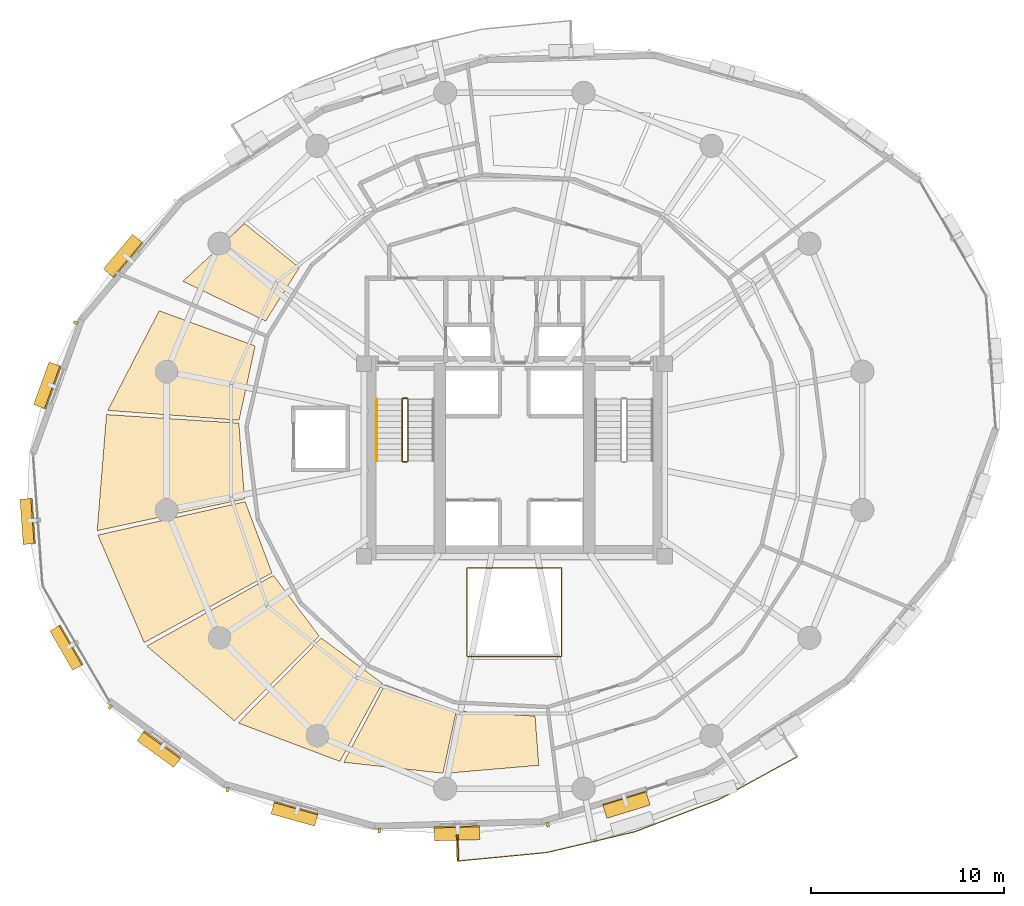
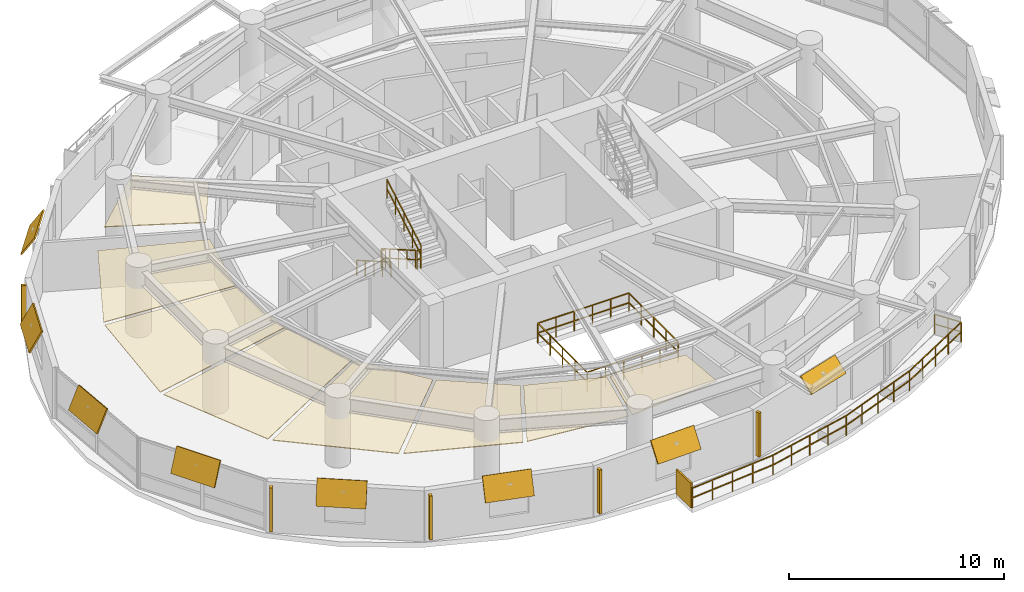
# One storey, part 13 of 15: 14 shading devices, 8 coverings, 7 railings.
"""IFC4 building model written with IfcOpenShell, lengths in metres."""

from ifc_helpers import new_model, si_unit, direction, frame, origin, origin_2d, place, context, subcontext, project, spatial, polyline, rectangle, outline, extrude, material, layer, layer_set, type_object, element, save


model = new_model("IFC4")

# Units and contexts
model_context = context("Model", 3, precision=1e-05, world=origin(), true_north=direction((0.0, 1.0)))
body_context = subcontext(model_context, "Body", "Model", "MODEL_VIEW")
ifc_project = project(units=[si_unit("LENGTHUNIT", "METRE"), si_unit("AREAUNIT", "SQUARE_METRE"), si_unit("VOLUMEUNIT", "CUBIC_METRE"), si_unit("PLANEANGLEUNIT", "RADIAN"), si_unit("MASSUNIT", "GRAM", prefix="KILO"), si_unit("THERMODYNAMICTEMPERATUREUNIT", "KELVIN"), si_unit("POWERUNIT", "WATT")], contexts=[model_context])

# Site, building, storey
site_placement = place(None, origin())
site = spatial("IfcSite", under=ifc_project, at=site_placement, CompositionType="ELEMENT")
building_placement = place(site_placement, origin())
building = spatial("IfcBuilding", under=site, at=building_placement, Name="Ocrelia Relay Tower", CompositionType="ELEMENT")
storey_placement = place(building_placement, frame((0.0, 0.0, 105.800048828125)))
storey = spatial("IfcBuildingStorey", under=building, at=storey_placement, Name="L24", CompositionType="ELEMENT", Elevation=105.800048828125)

# Coverings
ifc_material_1 = material(Name="Mineral-fiber acoustic ceiling tile", Category="gypsum")
ifc_layer_1 = layer(ifc_material_1, 0.0400390625, Name="Mineral-fiber acoustic ceiling tile")
ifc_layer_set_1 = layer_set([ifc_layer_1], Name="Mineral-fiber acoustic ceiling tile")
covering_type_1 = type_object("IfcCoveringType", Name="COV-CEIL-ACOUSTIC", PredefinedType="CEILING", material=ifc_layer_set_1)
covering_1_placement = place(storey_placement, frame((0.0, 0.0, 2.719970703125)))
element("IfcCovering", 1, at=covering_1_placement, inside=storey, type_object=covering_type_1, Name="L24 Network Engineering Office A Suspended Ceiling 4", PredefinedType="CEILING", context=body_context, shape_type="SweptSolid", body=[
    extrude(outline(polyline([(22.84765625, 34.982666015625), (20.007080078125, 37.2705078125), (16.809814453125, 34.273193359375), (21.0966796875, 32.2099609375), (22.84765625, 34.982666015625)])), origin(), (0.0, 0.0, 1.0), 0.0400390625),
])
ifc_material_2 = material(Name="Cleanroom metal-pan acoustic ceiling", Category="aluminium")
ifc_layer_2 = layer(ifc_material_2, 0.0400390625, Name="Cleanroom metal-pan acoustic ceiling")
ifc_layer_set_2 = layer_set([ifc_layer_2], Name="Cleanroom metal-pan acoustic ceiling")
covering_type_2 = type_object("IfcCoveringType", Name="COV-CEIL-CLEAN", PredefinedType="CEILING", material=ifc_layer_set_2)
covering_2_placement = place(storey_placement, frame((0.0, 0.0, 2.719970703125)))
element("IfcCovering", 2, at=covering_2_placement, inside=storey, type_object=covering_type_2, Name="L24 Optical Switching Hall A Suspended Ceiling 1", PredefinedType="CEILING", context=body_context, shape_type="SweptSolid", body=[
    extrude(outline(polyline([(20.55224609375, 30.921142578125), (15.575927734375, 32.7421875), (12.909912109375, 27.5751953125), (19.7197265625, 27.066650390625), (20.55224609375, 30.921142578125)])), origin(), (0.0, 0.0, 1.0), 0.0400390625),
])
covering_3_placement = place(storey_placement, frame((0.0, 0.0, 2.719970703125)))
element("IfcCovering", 3, at=covering_3_placement, inside=storey, type_object=covering_type_2, Name="L24 Optical Switching Hall A Suspended Ceiling 2", PredefinedType="CEILING", context=body_context, shape_type="SweptSolid", body=[
    extrude(outline(polyline([(19.70947265625, 26.9169921875), (12.8427734375, 27.357666015625), (12.359375, 21.338134765625), (20.001220703125, 22.984375), (19.70947265625, 26.9169921875)])), origin(), (0.0, 0.0, 1.0), 0.0400390625),
])
covering_4_placement = place(storey_placement, frame((0.0, 0.0, 2.719970703125)))
element("IfcCovering", 4, at=covering_4_placement, inside=storey, type_object=covering_type_2, Name="L24 Optical Switching Hall A Suspended Ceiling 3", PredefinedType="CEILING", context=body_context, shape_type="SweptSolid", body=[
    extrude(outline(polyline([(20.033447265625, 22.837890625), (12.3955078125, 21.108642578125), (14.7958984375, 15.535888671875), (21.425537109375, 19.148193359375), (20.033447265625, 22.837890625)])), origin(), (0.0, 0.0, 1.0), 0.0400390625),
])
covering_5_placement = place(storey_placement, frame((0.0, 0.0, 2.719970703125)))
element("IfcCovering", 5, at=covering_5_placement, inside=storey, type_object=covering_type_2, Name="L24 Optical Switching Hall A Suspended Ceiling 4", PredefinedType="CEILING", context=body_context, shape_type="SweptSolid", body=[
    extrude(outline(polyline([(21.498046875, 19.01708984375), (14.936279296875, 15.351806640625), (19.4794921875, 11.47216796875), (23.876708984375, 15.87158203125), (21.498046875, 19.01708984375)])), origin(), (0.0, 0.0, 1.0), 0.0400390625),
])
covering_6_placement = place(storey_placement, frame((0.0, 0.0, 2.719970703125)))
element("IfcCovering", 6, at=covering_6_placement, inside=storey, type_object=covering_type_2, Name="L24 Optical Switching Hall A Suspended Ceiling 5", PredefinedType="CEILING", context=body_context, shape_type="SweptSolid", body=[
    extrude(outline(polyline([(23.9833984375, 15.766357421875), (19.67333984375, 11.36279296875), (24.948974609375, 9.36962890625), (27.154541015625, 13.422119140625), (23.9833984375, 15.766357421875)])), origin(), (0.0, 0.0, 1.0), 0.0400390625),
])
covering_7_placement = place(storey_placement, frame((0.0, 0.0, 2.719970703125)))
element("IfcCovering", 7, at=covering_7_placement, inside=storey, type_object=covering_type_2, Name="L24 Optical Switching Hall A Suspended Ceiling 6", PredefinedType="CEILING", context=body_context, shape_type="SweptSolid", body=[
    extrude(outline(polyline([(27.28662109375, 13.351318359375), (25.1494140625, 9.324462890625), (30.294189453125, 8.756103515625), (30.9912109375, 11.99951171875), (27.28662109375, 13.351318359375)])), origin(), (0.0, 0.0, 1.0), 0.0400390625),
])
covering_8_placement = place(storey_placement, frame((0.0, 0.0, 2.719970703125)))
element("IfcCovering", 8, at=covering_8_placement, inside=storey, type_object=covering_type_2, Name="L24 Optical Switching Hall A Suspended Ceiling 7", PredefinedType="CEILING", context=body_context, shape_type="SweptSolid", body=[
    extrude(outline(polyline([(31.13818359375, 11.968994140625), (30.482421875, 8.755126953125), (35.265625, 9.166748046875), (35.07373046875, 11.72021484375), (31.13818359375, 11.968994140625)])), origin(), (0.0, 0.0, 1.0), 0.0400390625),
])

# Railings
ifc_material_3 = material(Name="Steel S355 balustrade", Category="steel")
railing_type_1 = type_object("IfcRailingType", Name="RL-EXT-GUARD-1150", PredefinedType="GUARDRAIL", material=ifc_material_3)
railing_1_placement = place(storey_placement, frame((47.921142578125, 10.785888671875, 0.0)))
element("IfcRailing", 9, at=railing_1_placement, inside=storey, type_object=railing_type_1, Name="L24 Loggia Balcony Guard Rail B2", PredefinedType="GUARDRAIL", context=body_context, shape_type="SweptSolid", body=[
    extrude(rectangle(XDim=0.048095703125, YDim=0.048095703125, at=origin_2d()), frame((0.0, 0.0, 1.1259765625), z_axis=(0.541040928806, -0.840996262392, 0.0), x_axis=(0.840996262392, 0.541040928806, 0.0)), (0.0, 0.0, 1.0), 1.3935546875),
    extrude(rectangle(XDim=0.048095703125, YDim=0.048095703125, at=origin_2d()), frame((0.0, 0.0, 0.574951171875), z_axis=(0.541040928806, -0.840996262392, 0.0), x_axis=(0.840996262392, 0.541040928806, 0.0)), (0.0, 0.0, 1.0), 1.3935546875),
    extrude(rectangle(XDim=0.048095703125, YDim=0.048095703125, at=origin_2d()), frame((0.75390625, -1.171875, 1.1259765625), z_axis=(-0.876967218868, -0.480550202404, 0.0), x_axis=(0.480550202404, -0.876967218868, 0.0)), (0.0, 0.0, 1.0), 2.315673828125),
    extrude(rectangle(XDim=0.048095703125, YDim=0.048095703125, at=origin_2d()), frame((0.75390625, -1.171875, 0.574951171875), z_axis=(-0.876967218868, -0.480550202404, 0.0), x_axis=(0.480550202404, -0.876967218868, 0.0)), (0.0, 0.0, 1.0), 2.315673828125),
    extrude(rectangle(XDim=0.048095703125, YDim=0.048095703125, at=origin_2d()), frame((-1.27685546875, -2.28466796875, 1.1259765625), z_axis=(-0.876991562296, -0.480505774846, 0.0), x_axis=(0.480505774846, -0.876991562296, 0.0)), (0.0, 0.0, 1.0), 2.31591796875),
    extrude(rectangle(XDim=0.048095703125, YDim=0.048095703125, at=origin_2d()), frame((-1.27685546875, -2.28466796875, 0.574951171875), z_axis=(-0.876991562296, -0.480505774846, 0.0), x_axis=(0.480505774846, -0.876991562296, 0.0)), (0.0, 0.0, 1.0), 2.31591796875),
    extrude(rectangle(XDim=0.048095703125, YDim=0.048095703125, at=origin_2d()), frame((-3.307861328125, -3.3974609375, 1.1259765625), z_axis=(-0.933953059863, -0.357395693836, 0.0), x_axis=(0.357395693836, -0.933953059863, 0.0)), (0.0, 0.0, 1.0), 4.68212890625),
    extrude(rectangle(XDim=0.048095703125, YDim=0.048095703125, at=origin_2d()), frame((-3.307861328125, -3.3974609375, 0.574951171875), z_axis=(-0.933953059863, -0.357395693836, 0.0), x_axis=(0.357395693836, -0.933953059863, 0.0)), (0.0, 0.0, 1.0), 4.68212890625),
    extrude(rectangle(XDim=0.048095703125, YDim=0.048095703125, at=origin_2d()), frame((-7.6806640625, -5.07080078125, 1.1259765625), z_axis=(-0.973338470259, -0.229373543187, 0.0), x_axis=(0.229373543187, -0.973338470259, 0.0)), (0.0, 0.0, 1.0), 4.68212890625),
    extrude(rectangle(XDim=0.048095703125, YDim=0.048095703125, at=origin_2d()), frame((-7.6806640625, -5.07080078125, 0.574951171875), z_axis=(-0.973338470259, -0.229373543187, 0.0), x_axis=(0.229373543187, -0.973338470259, 0.0)), (0.0, 0.0, 1.0), 4.68212890625),
    extrude(rectangle(XDim=0.048095703125, YDim=0.048095703125, at=origin_2d()), frame((-12.238037109375, -6.144775390625, 1.1259765625), z_axis=(-0.995427939099, -0.095515538321, 0.0), x_axis=(0.095515538321, -0.995427939099, 0.0)), (0.0, 0.0, 1.0), 2.315673828125),
    extrude(rectangle(XDim=0.048095703125, YDim=0.048095703125, at=origin_2d()), frame((-12.238037109375, -6.144775390625, 0.574951171875), z_axis=(-0.995427939099, -0.095515538321, 0.0), x_axis=(0.095515538321, -0.995427939099, 0.0)), (0.0, 0.0, 1.0), 2.315673828125),
    extrude(rectangle(XDim=0.048095703125, YDim=0.048095703125, at=origin_2d()), frame((-14.543212890625, -6.365966796875, 1.1259765625), z_axis=(-0.995437957456, -0.095411073025, 0.0), x_axis=(0.095411073025, -0.995437957456, 0.0)), (0.0, 0.0, 1.0), 2.315673828125),
    extrude(rectangle(XDim=0.048095703125, YDim=0.048095703125, at=origin_2d()), frame((-14.543212890625, -6.365966796875, 0.574951171875), z_axis=(-0.995437957456, -0.095411073025, 0.0), x_axis=(0.095411073025, -0.995437957456, 0.0)), (0.0, 0.0, 1.0), 2.315673828125),
    extrude(rectangle(XDim=0.048095703125, YDim=0.048095703125, at=origin_2d()), frame((-16.848388671875, -6.5869140625, 1.1259765625), z_axis=(-0.025232979854, 0.999681597674, 0.0), x_axis=(-0.999681597674, -0.025232979854, 0.0)), (0.0, 0.0, 1.0), 1.393310546875),
    extrude(rectangle(XDim=0.048095703125, YDim=0.048095703125, at=origin_2d()), frame((-16.848388671875, -6.5869140625, 0.574951171875), z_axis=(-0.025232979854, 0.999681597674, 0.0), x_axis=(-0.999681597674, -0.025232979854, 0.0)), (0.0, 0.0, 1.0), 1.393310546875),
    extrude(rectangle(XDim=0.0419921875, YDim=0.0419921875, at=origin_2d()), origin(), (0.0, 0.0, 1.0), 1.101806640625),
    extrude(rectangle(XDim=0.0419921875, YDim=0.0419921875, at=origin_2d()), frame((0.376953125, -0.5859375, 0.0)), (0.0, 0.0, 1.0), 1.101806640625),
    extrude(rectangle(XDim=0.0419921875, YDim=0.0419921875, at=origin_2d()), frame((0.75390625, -1.171875, 0.0)), (0.0, 0.0, 1.0), 1.101806640625),
    extrude(rectangle(XDim=0.0419921875, YDim=0.0419921875, at=origin_2d()), frame((-0.261474609375, -1.728271484375, 0.0)), (0.0, 0.0, 1.0), 1.101806640625),
    extrude(rectangle(XDim=0.0419921875, YDim=0.0419921875, at=origin_2d()), frame((-1.27685546875, -2.28466796875, 0.0)), (0.0, 0.0, 1.0), 1.101806640625),
    extrude(rectangle(XDim=0.0419921875, YDim=0.0419921875, at=origin_2d()), frame((-2.29248046875, -2.841064453125, 0.0)), (0.0, 0.0, 1.0), 1.101806640625),
    extrude(rectangle(XDim=0.0419921875, YDim=0.0419921875, at=origin_2d()), frame((-3.307861328125, -3.3974609375, 0.0)), (0.0, 0.0, 1.0), 1.101806640625),
    extrude(rectangle(XDim=0.0419921875, YDim=0.0419921875, at=origin_2d()), frame((-4.401123046875, -3.81591796875, 0.0)), (0.0, 0.0, 1.0), 1.101806640625),
    extrude(rectangle(XDim=0.0419921875, YDim=0.0419921875, at=origin_2d()), frame((-5.494140625, -4.234130859375, 0.0)), (0.0, 0.0, 1.0), 1.101806640625),
    extrude(rectangle(XDim=0.0419921875, YDim=0.0419921875, at=origin_2d()), frame((-6.58740234375, -4.65234375, 0.0)), (0.0, 0.0, 1.0), 1.101806640625),
    extrude(rectangle(XDim=0.0419921875, YDim=0.0419921875, at=origin_2d()), frame((-7.6806640625, -5.07080078125, 0.0)), (0.0, 0.0, 1.0), 1.101806640625),
    extrude(rectangle(XDim=0.0419921875, YDim=0.0419921875, at=origin_2d()), frame((-8.820068359375, -5.33935546875, 0.0)), (0.0, 0.0, 1.0), 1.101806640625),
    extrude(rectangle(XDim=0.0419921875, YDim=0.0419921875, at=origin_2d()), frame((-9.95947265625, -5.60791015625, 0.0)), (0.0, 0.0, 1.0), 1.101806640625),
    extrude(rectangle(XDim=0.0419921875, YDim=0.0419921875, at=origin_2d()), frame((-11.0986328125, -5.876220703125, 0.0)), (0.0, 0.0, 1.0), 1.101806640625),
    extrude(rectangle(XDim=0.0419921875, YDim=0.0419921875, at=origin_2d()), frame((-12.238037109375, -6.144775390625, 0.0)), (0.0, 0.0, 1.0), 1.101806640625),
    extrude(rectangle(XDim=0.0419921875, YDim=0.0419921875, at=origin_2d()), frame((-13.390625, -6.25537109375, 0.0)), (0.0, 0.0, 1.0), 1.101806640625),
    extrude(rectangle(XDim=0.0419921875, YDim=0.0419921875, at=origin_2d()), frame((-14.543212890625, -6.365966796875, 0.0)), (0.0, 0.0, 1.0), 1.101806640625),
    extrude(rectangle(XDim=0.0419921875, YDim=0.0419921875, at=origin_2d()), frame((-15.69580078125, -6.4765625, 0.0)), (0.0, 0.0, 1.0), 1.101806640625),
    extrude(rectangle(XDim=0.0419921875, YDim=0.0419921875, at=origin_2d()), frame((-16.848388671875, -6.5869140625, 0.0)), (0.0, 0.0, 1.0), 1.101806640625),
    extrude(rectangle(XDim=0.0419921875, YDim=0.0419921875, at=origin_2d()), frame((-16.865966796875, -5.890625, 0.0)), (0.0, 0.0, 1.0), 1.101806640625),
    extrude(rectangle(XDim=0.0419921875, YDim=0.0419921875, at=origin_2d()), frame((-16.883544921875, -5.194091796875, 0.0)), (0.0, 0.0, 1.0), 1.101806640625),
])
ifc_material_4 = material(Name="Steel S355 atrium balustrade", Category="steel")
railing_type_2 = type_object("IfcRailingType", Name="RL-INT-GUARD-115", PredefinedType="GUARDRAIL", material=ifc_material_4)
railing_2_placement = place(storey_placement, frame((31.550048828125, 14.800048828125, 0.0)))
element("IfcRailing", 10, at=railing_2_placement, inside=storey, type_object=railing_type_2, Name="L24 Multi-Zone Interior Atrium Guard", PredefinedType="GUARDRAIL", context=body_context, shape_type="SweptSolid", body=[
    extrude(rectangle(XDim=0.048095703125, YDim=0.048095703125, at=origin_2d()), frame((0.0, 0.0, 1.1259765625), z_axis=(1.0, 0.0, 0.0), x_axis=(0.0, 1.0, 0.0)), (0.0, 0.0, 1.0), 4.89990234375),
    extrude(rectangle(XDim=0.048095703125, YDim=0.048095703125, at=origin_2d()), frame((0.0, 0.0, 0.574951171875), z_axis=(1.0, 0.0, 0.0), x_axis=(0.0, 1.0, 0.0)), (0.0, 0.0, 1.0), 4.89990234375),
    extrude(rectangle(XDim=0.048095703125, YDim=0.048095703125, at=origin_2d()), frame((4.89990234375, 0.0, 1.1259765625), z_axis=(0.0, 1.0, 0.0), x_axis=(-1.0, 0.0, 0.0)), (0.0, 0.0, 1.0), 4.599853515625),
    extrude(rectangle(XDim=0.048095703125, YDim=0.048095703125, at=origin_2d()), frame((4.89990234375, 0.0, 0.574951171875), z_axis=(0.0, 1.0, 0.0), x_axis=(-1.0, 0.0, 0.0)), (0.0, 0.0, 1.0), 4.599853515625),
    extrude(rectangle(XDim=0.048095703125, YDim=0.048095703125, at=origin_2d()), frame((4.89990234375, 4.599853515625, 1.1259765625), z_axis=(-1.0, 0.0, 0.0), x_axis=(0.0, -1.0, 0.0)), (0.0, 0.0, 1.0), 4.89990234375),
    extrude(rectangle(XDim=0.048095703125, YDim=0.048095703125, at=origin_2d()), frame((4.89990234375, 4.599853515625, 0.574951171875), z_axis=(-1.0, 0.0, 0.0), x_axis=(0.0, -1.0, 0.0)), (0.0, 0.0, 1.0), 4.89990234375),
    extrude(rectangle(XDim=0.048095703125, YDim=0.048095703125, at=origin_2d()), frame((0.0, 4.599853515625, 1.1259765625), z_axis=(0.0, -1.0, 0.0), x_axis=(1.0, 0.0, 0.0)), (0.0, 0.0, 1.0), 4.599853515625),
    extrude(rectangle(XDim=0.048095703125, YDim=0.048095703125, at=origin_2d()), frame((0.0, 4.599853515625, 0.574951171875), z_axis=(0.0, -1.0, 0.0), x_axis=(1.0, 0.0, 0.0)), (0.0, 0.0, 1.0), 4.599853515625),
    extrude(rectangle(XDim=0.0419921875, YDim=0.0419921875, at=origin_2d()), origin(), (0.0, 0.0, 1.0), 1.101806640625),
    extrude(rectangle(XDim=0.0419921875, YDim=0.0419921875, at=origin_2d()), frame((0.97998046875, 0.0, 0.0)), (0.0, 0.0, 1.0), 1.101806640625),
    extrude(rectangle(XDim=0.0419921875, YDim=0.0419921875, at=origin_2d()), frame((1.9599609375, 0.0, 0.0)), (0.0, 0.0, 1.0), 1.101806640625),
    extrude(rectangle(XDim=0.0419921875, YDim=0.0419921875, at=origin_2d()), frame((2.93994140625, 0.0, 0.0)), (0.0, 0.0, 1.0), 1.101806640625),
    extrude(rectangle(XDim=0.0419921875, YDim=0.0419921875, at=origin_2d()), frame((3.919921875, 0.0, 0.0)), (0.0, 0.0, 1.0), 1.101806640625),
    extrude(rectangle(XDim=0.0419921875, YDim=0.0419921875, at=origin_2d()), frame((4.89990234375, 0.0, 0.0)), (0.0, 0.0, 1.0), 1.101806640625),
    extrude(rectangle(XDim=0.0419921875, YDim=0.0419921875, at=origin_2d()), frame((4.89990234375, 1.14990234375, 0.0)), (0.0, 0.0, 1.0), 1.101806640625),
    extrude(rectangle(XDim=0.0419921875, YDim=0.0419921875, at=origin_2d()), frame((4.89990234375, 2.2998046875, 0.0)), (0.0, 0.0, 1.0), 1.101806640625),
    extrude(rectangle(XDim=0.0419921875, YDim=0.0419921875, at=origin_2d()), frame((4.89990234375, 3.449951171875, 0.0)), (0.0, 0.0, 1.0), 1.101806640625),
    extrude(rectangle(XDim=0.0419921875, YDim=0.0419921875, at=origin_2d()), frame((4.89990234375, 4.599853515625, 0.0)), (0.0, 0.0, 1.0), 1.101806640625),
    extrude(rectangle(XDim=0.0419921875, YDim=0.0419921875, at=origin_2d()), frame((3.919921875, 4.599853515625, 0.0)), (0.0, 0.0, 1.0), 1.101806640625),
    extrude(rectangle(XDim=0.0419921875, YDim=0.0419921875, at=origin_2d()), frame((2.93994140625, 4.599853515625, 0.0)), (0.0, 0.0, 1.0), 1.101806640625),
    extrude(rectangle(XDim=0.0419921875, YDim=0.0419921875, at=origin_2d()), frame((1.9599609375, 4.599853515625, 0.0)), (0.0, 0.0, 1.0), 1.101806640625),
    extrude(rectangle(XDim=0.0419921875, YDim=0.0419921875, at=origin_2d()), frame((0.97998046875, 4.599853515625, 0.0)), (0.0, 0.0, 1.0), 1.101806640625),
    extrude(rectangle(XDim=0.0419921875, YDim=0.0419921875, at=origin_2d()), frame((0.0, 4.599853515625, 0.0)), (0.0, 0.0, 1.0), 1.101806640625),
    extrude(rectangle(XDim=0.0419921875, YDim=0.0419921875, at=origin_2d()), frame((0.0, 3.449951171875, 0.0)), (0.0, 0.0, 1.0), 1.101806640625),
    extrude(rectangle(XDim=0.0419921875, YDim=0.0419921875, at=origin_2d()), frame((0.0, 2.2998046875, 0.0)), (0.0, 0.0, 1.0), 1.101806640625),
    extrude(rectangle(XDim=0.0419921875, YDim=0.0419921875, at=origin_2d()), frame((0.0, 1.14990234375, 0.0)), (0.0, 0.0, 1.0), 1.101806640625),
])
railing_type_3 = type_object("IfcRailingType", Name="RL-STAIR-GUARD", PredefinedType="GUARDRAIL", material=ifc_material_3)
railing_3_placement = place(storey_placement, frame((28.179931640625, 28.14990234375, 0.16650390625)))
element("IfcRailing", 11, at=railing_3_placement, inside=storey, type_object=railing_type_3, Name="L24 ST1 stair guard 1", PredefinedType="GUARDRAIL", context=body_context, shape_type="SweptSolid", body=[
    extrude(rectangle(XDim=0.048095703125, YDim=0.048095703125, at=origin_2d()), frame((0.0, 0.0, 1.076171875), z_axis=(0.0, -0.86699087805, 0.498324008431), x_axis=(1.0, 0.0, 0.0)), (0.0, 0.0, 1.0), 3.679443359375),
    extrude(rectangle(XDim=0.048095703125, YDim=0.048095703125, at=origin_2d()), frame((0.0, 0.0, 0.550048828125), z_axis=(0.0, -0.86699087805, 0.498324008431), x_axis=(1.0, 0.0, 0.0)), (0.0, 0.0, 1.0), 3.679443359375),
    extrude(rectangle(XDim=0.0419921875, YDim=0.0419921875, at=origin_2d()), origin(), (0.0, 0.0, 1.0), 1.052001953125),
    extrude(rectangle(XDim=0.0419921875, YDim=0.0419921875, at=origin_2d()), frame((0.0, -0.79736328125, 0.45849609375)), (0.0, 0.0, 1.0), 1.052001953125),
    extrude(rectangle(XDim=0.0419921875, YDim=0.0419921875, at=origin_2d()), frame((0.0, -1.594970703125, 0.916748046875)), (0.0, 0.0, 1.0), 1.052001953125),
    extrude(rectangle(XDim=0.0419921875, YDim=0.0419921875, at=origin_2d()), frame((0.0, -2.392578125, 1.375)), (0.0, 0.0, 1.0), 1.052001953125),
    extrude(rectangle(XDim=0.0419921875, YDim=0.0419921875, at=origin_2d()), frame((0.0, -3.18994140625, 1.83349609375)), (0.0, 0.0, 1.0), 1.052001953125),
])
railing_4_placement = place(storey_placement, frame((28.22998046875, 24.909912109375, 2.0)))
element("IfcRailing", 12, at=railing_4_placement, inside=storey, type_object=railing_type_3, Name="L24 ST1 stair guard 2", PredefinedType="GUARDRAIL", context=body_context, shape_type="SweptSolid", body=[
    extrude(rectangle(XDim=0.048095703125, YDim=0.048095703125, at=origin_2d()), frame((0.0, 0.0, 1.076171875), z_axis=(1.0, 0.0, 0.0), x_axis=(0.0, 1.0, 0.0)), (0.0, 0.0, 1.0), 0.199951171875),
    extrude(rectangle(XDim=0.048095703125, YDim=0.048095703125, at=origin_2d()), frame((0.0, 0.0, 0.550048828125), z_axis=(1.0, 0.0, 0.0), x_axis=(0.0, 1.0, 0.0)), (0.0, 0.0, 1.0), 0.199951171875),
    extrude(rectangle(XDim=0.0419921875, YDim=0.0419921875, at=origin_2d()), origin(), (0.0, 0.0, 1.0), 1.052001953125),
    extrude(rectangle(XDim=0.0419921875, YDim=0.0419921875, at=origin_2d()), frame((0.199951171875, 0.0, 0.0)), (0.0, 0.0, 1.0), 1.052001953125),
])
railing_5_placement = place(storey_placement, frame((28.47998046875, 24.9599609375, 2.16650390625)))
element("IfcRailing", 13, at=railing_5_placement, inside=storey, type_object=railing_type_3, Name="L24 ST1 stair guard 3", PredefinedType="GUARDRAIL", context=body_context, shape_type="SweptSolid", body=[
    extrude(rectangle(XDim=0.048095703125, YDim=0.048095703125, at=origin_2d()), frame((0.0, 0.0, 1.076171875), z_axis=(0.0, 0.86699087805, 0.498324008431), x_axis=(-1.0, 0.0, 0.0)), (0.0, 0.0, 1.0), 3.679443359375),
    extrude(rectangle(XDim=0.048095703125, YDim=0.048095703125, at=origin_2d()), frame((0.0, 0.0, 0.550048828125), z_axis=(0.0, 0.86699087805, 0.498324008431), x_axis=(-1.0, 0.0, 0.0)), (0.0, 0.0, 1.0), 3.679443359375),
    extrude(rectangle(XDim=0.0419921875, YDim=0.0419921875, at=origin_2d()), origin(), (0.0, 0.0, 1.0), 1.052001953125),
    extrude(rectangle(XDim=0.0419921875, YDim=0.0419921875, at=origin_2d()), frame((0.0, 0.79736328125, 0.45849609375)), (0.0, 0.0, 1.0), 1.052001953125),
    extrude(rectangle(XDim=0.0419921875, YDim=0.0419921875, at=origin_2d()), frame((0.0, 1.594970703125, 0.916748046875)), (0.0, 0.0, 1.0), 1.052001953125),
    extrude(rectangle(XDim=0.0419921875, YDim=0.0419921875, at=origin_2d()), frame((0.0, 2.392578125, 1.375)), (0.0, 0.0, 1.0), 1.052001953125),
    extrude(rectangle(XDim=0.0419921875, YDim=0.0419921875, at=origin_2d()), frame((0.0, 3.18994140625, 1.83349609375)), (0.0, 0.0, 1.0), 1.052001953125),
])
railing_6_placement = place(storey_placement, frame((28.22998046875, 28.199951171875, 0.0)))
element("IfcRailing", 14, at=railing_6_placement, inside=storey, type_object=railing_type_3, Name="L24 ST1 stair guard 4", PredefinedType="GUARDRAIL", context=body_context, shape_type="SweptSolid", body=[
    extrude(rectangle(XDim=0.048095703125, YDim=0.048095703125, at=origin_2d()), frame((0.0, 0.0, 1.076171875), z_axis=(1.0, 0.0, 0.0), x_axis=(0.0, 1.0, 0.0)), (0.0, 0.0, 1.0), 0.199951171875),
    extrude(rectangle(XDim=0.048095703125, YDim=0.048095703125, at=origin_2d()), frame((0.0, 0.0, 0.550048828125), z_axis=(1.0, 0.0, 0.0), x_axis=(0.0, 1.0, 0.0)), (0.0, 0.0, 1.0), 0.199951171875),
    extrude(rectangle(XDim=0.0419921875, YDim=0.0419921875, at=origin_2d()), origin(), (0.0, 0.0, 1.0), 1.052001953125),
    extrude(rectangle(XDim=0.0419921875, YDim=0.0419921875, at=origin_2d()), frame((0.199951171875, 0.0, 0.0)), (0.0, 0.0, 1.0), 1.052001953125),
])
ifc_material_5 = material(Name="Steel S355 tubular handrail", Category="steel")
railing_type_4 = type_object("IfcRailingType", Name="RL-STAIR-HAND", PredefinedType="HANDRAIL", material=ifc_material_5)
railing_7_placement = place(storey_placement, frame((26.860107421875, 28.14990234375, 0.16650390625)))
element("IfcRailing", 15, at=railing_7_placement, inside=storey, type_object=railing_type_4, Name="L24 ST1 stair handrail 1", PredefinedType="HANDRAIL", context=body_context, shape_type="SweptSolid", body=[
    extrude(rectangle(XDim=0.048095703125, YDim=0.048095703125, at=origin_2d()), frame((0.0, 0.0, 0.8759765625), z_axis=(0.0, -0.86699087805, 0.498324008431), x_axis=(1.0, 0.0, 0.0)), (0.0, 0.0, 1.0), 3.679443359375),
    extrude(rectangle(XDim=0.0419921875, YDim=0.0419921875, at=origin_2d()), origin(), (0.0, 0.0, 1.0), 0.851806640625),
    extrude(rectangle(XDim=0.0419921875, YDim=0.0419921875, at=origin_2d()), frame((0.0, -0.79736328125, 0.45849609375)), (0.0, 0.0, 1.0), 0.851806640625),
    extrude(rectangle(XDim=0.0419921875, YDim=0.0419921875, at=origin_2d()), frame((0.0, -1.594970703125, 0.916748046875)), (0.0, 0.0, 1.0), 0.851806640625),
    extrude(rectangle(XDim=0.0419921875, YDim=0.0419921875, at=origin_2d()), frame((0.0, -2.392578125, 1.375)), (0.0, 0.0, 1.0), 0.851806640625),
    extrude(rectangle(XDim=0.0419921875, YDim=0.0419921875, at=origin_2d()), frame((0.0, -3.18994140625, 1.83349609375)), (0.0, 0.0, 1.0), 0.851806640625),
])

# Shading devices
ifc_material_6 = material(Name="Perforated oxide terracotta solar screen", Category="masonry")
ifc_layer_3 = layer(ifc_material_6, 0.090087890625, Name="Perforated oxide terracotta solar screen")
ifc_layer_set_3 = layer_set([ifc_layer_3], Name="Perforated oxide terracotta solar screen")
shading_device_type_1 = type_object("IfcShadingDeviceType", Name="SH-BALC-SCREEN", PredefinedType="USERDEFINED", material=ifc_layer_set_3)
shading_device_1_placement = place(storey_placement, frame((31.055419921875, 4.8955078125, 0.0), z_axis=(0.0, 0.0, 1.0), x_axis=(0.025189420418, -0.999682696209, 0.0)))
element("IfcShadingDevice", 16, at=shading_device_1_placement, inside=storey, type_object=shading_device_type_1, Name="L24 Balcony Perforated Terracotta Screen B2-1", ObjectType="SCREEN", PredefinedType="USERDEFINED", context=body_context, shape_type="SweptSolid", body=[
    extrude(rectangle(XDim=1.340087890625, YDim=0.090087890625, at=origin_2d()), origin(), (0.0, 0.0, 1.0), 1.39990234375),
])
ifc_material_7 = material(Name="Extruded oxide terracotta vertical baguette", Category="masonry")
shading_device_type_2 = type_object("IfcShadingDeviceType", Name="SH-TERR-BAGUETTE", PredefinedType="USERDEFINED", material=ifc_material_7)
for number, where, z_axis, x_axis, name in (
    (17, (11.253662109375, 32.1279296875, 0.199951171875), (0.0, 0.0, 1.0), (-0.340704301135, -0.940170505381, 0.0), "L24 Oxide Terracotta Vertical Baguette 08"),
    (18, (13.0380859375, 12.1923828125, 0.199951171875), (0.0, 0.0, 1.0), (0.810245074507, -0.586091220918, 0.0), "L24 Oxide Terracotta Vertical Baguette 11"),
    (19, (19.1298828125, 7.906005859375, 0.199951171875), (0.0, 0.0, 1.0), (0.963077349031, -0.269224849863, 0.0), "L24 Oxide Terracotta Vertical Baguette 12"),
    (20, (27.0029296875, 5.7890625, 0.199951171875), (0.0, 0.0, 1.0), (0.999644318449, 0.026669019343, 0.0), "L24 Oxide Terracotta Vertical Baguette 13"),
    (21, (35.723876953125, 6.094482421875, 0.199951171875), (0.0, 0.0, 1.0), (0.955790924358, 0.294047120229, 0.0), "L24 Oxide Terracotta Vertical Baguette 14"),
):
    element("IfcShadingDevice", number, at=place(storey_placement, frame(where, z_axis=z_axis, x_axis=x_axis)), inside=storey, type_object=shading_device_type_2, Name=name, ObjectType="BAGUETTE", PredefinedType="USERDEFINED", context=body_context, shape_type="SweptSolid", body=[
        extrude(rectangle(XDim=0.139892578125, YDim=0.239990234375, at=origin_2d()), origin(), (0.0, 0.0, 1.0), 2.5),
    ])
ifc_material_8 = material(Name="Extruded oxide terracotta fin", Category="masonry")
ifc_layer_4 = layer(ifc_material_8, 0.080078125, Name="Extruded oxide terracotta fin")
ifc_layer_set_4 = layer_set([ifc_layer_4], Name="Extruded oxide terracotta fin")
shading_device_type_3 = type_object("IfcShadingDeviceType", Name="SH-VISOR-FIN-DEEP", PredefinedType="USERDEFINED", material=ifc_layer_set_4)
shading_device_2_placement = place(storey_placement, frame((13.73876953125, 35.558349609375, 2.71826171875), z_axis=(-0.643203605491, 0.54319801313, 0.539652703519), x_axis=(-0.645214308359, -0.764001633695, 0.0)))
element("IfcShadingDevice", 22, at=shading_device_2_placement, inside=storey, type_object=shading_device_type_3, Name="L24 Canted Terracotta Sun-Visor Fin 07", ObjectType="FIN", PredefinedType="USERDEFINED", context=body_context, shape_type="SweptSolid", body=[
    extrude(rectangle(XDim=2.35009765625, YDim=1.2060546875, at=origin_2d()), origin(), (0.0, 0.0, 1.0), 0.080078125),
])
shading_device_3_placement = place(storey_placement, frame((9.809814453125, 28.853515625, 2.721435546875), z_axis=(-0.83325847684, 0.301960916017, 0.463141356361), x_axis=(-0.340704301135, -0.940170505381, 0.0)))
element("IfcShadingDevice", 23, at=shading_device_3_placement, inside=storey, type_object=shading_device_type_3, Name="L24 Canted Terracotta Sun-Visor Fin 08", ObjectType="FIN", PredefinedType="USERDEFINED", context=body_context, shape_type="SweptSolid", body=[
    extrude(rectangle(XDim=2.35009765625, YDim=1.2900390625, at=origin_2d()), origin(), (0.0, 0.0, 1.0), 0.080078125),
])
shading_device_4_placement = place(storey_placement, frame((8.79345703125, 21.818603515625, 2.72314453125), z_axis=(-0.904834462419, -0.06534505278, 0.420719169633), x_axis=(0.072030099448, -0.997402458777, 0.0)))
element("IfcShadingDevice", 24, at=shading_device_4_placement, inside=storey, type_object=shading_device_type_3, Name="L24 Canted Terracotta Sun-Visor Fin 09", ObjectType="FIN", PredefinedType="USERDEFINED", context=body_context, shape_type="SweptSolid", body=[
    extrude(rectangle(XDim=2.35009765625, YDim=1.3349609375, at=origin_2d()), origin(), (0.0, 0.0, 1.0), 0.080078125),
])
shading_device_5_placement = place(storey_placement, frame((10.79833984375, 15.288818359375, 2.7236328125), z_axis=(-0.790603221282, -0.457724643948, 0.406736643076), x_axis=(0.501042000832, -0.865422967919, 0.0)))
element("IfcShadingDevice", 25, at=shading_device_5_placement, inside=storey, type_object=shading_device_type_3, Name="L24 Canted Terracotta Sun-Visor Fin 10", ObjectType="FIN", PredefinedType="USERDEFINED", context=body_context, shape_type="SweptSolid", body=[
    extrude(rectangle(XDim=2.35009765625, YDim=1.35009765625, at=origin_2d()), origin(), (0.0, 0.0, 1.0), 0.080078125),
])
shading_device_6_placement = place(storey_placement, frame((15.587646484375, 10.035400390625, 2.72314453125), z_axis=(-0.531524364005, -0.734808819079, 0.4213524058), x_axis=(0.810245074507, -0.586091220918, 0.0)))
element("IfcShadingDevice", 26, at=shading_device_6_placement, inside=storey, type_object=shading_device_type_3, Name="L24 Canted Terracotta Sun-Visor Fin 11", ObjectType="FIN", PredefinedType="USERDEFINED", context=body_context, shape_type="SweptSolid", body=[
    extrude(rectangle(XDim=2.35009765625, YDim=1.3349609375, at=origin_2d()), origin(), (0.0, 0.0, 1.0), 0.080078125),
])
shading_device_7_placement = place(storey_placement, frame((22.60498046875, 6.689697265625, 2.720947265625), z_axis=(-0.237224366114, -0.848604479706, 0.472858369012), x_axis=(0.963077349031, -0.269224849863, 0.0)))
element("IfcShadingDevice", 27, at=shading_device_7_placement, inside=storey, type_object=shading_device_type_3, Name="L24 Canted Terracotta Sun-Visor Fin 12", ObjectType="FIN", PredefinedType="USERDEFINED", context=body_context, shape_type="SweptSolid", body=[
    extrude(rectangle(XDim=2.35009765625, YDim=1.280029296875, at=origin_2d()), origin(), (0.0, 0.0, 1.0), 0.080078125),
])
shading_device_8_placement = place(storey_placement, frame((31.020263671875, 5.6787109375, 2.717041015625), z_axis=(0.021896587353, -0.820757556128, 0.570856876565), x_axis=(0.999644318449, 0.026669019343, 0.0)))
element("IfcShadingDevice", 28, at=shading_device_8_placement, inside=storey, type_object=shading_device_type_3, Name="L24 Canted Terracotta Sun-Visor Fin 13", ObjectType="FIN", PredefinedType="USERDEFINED", context=body_context, shape_type="SweptSolid", body=[
    extrude(rectangle(XDim=2.35009765625, YDim=1.169921875, at=origin_2d()), origin(), (0.0, 0.0, 1.0), 0.080078125),
])
ifc_layer_5 = layer(ifc_material_8, 0.080078125, Name="Extruded oxide terracotta fin")
ifc_layer_set_5 = layer_set([ifc_layer_5], Name="Extruded oxide terracotta fin")
shading_device_type_4 = type_object("IfcShadingDeviceType", Name="SH-VISOR-FIN-MED", PredefinedType="USERDEFINED", material=ifc_layer_set_5)
shading_device_9_placement = place(storey_placement, frame((39.797119140625, 7.15625, 2.7119140625), z_axis=(0.209008538353, -0.679375686166, 0.703394702811), x_axis=(0.955790924358, 0.294047120229, 0.0)))
element("IfcShadingDevice", 29, at=shading_device_9_placement, inside=storey, type_object=shading_device_type_4, Name="L24 Canted Terracotta Sun-Visor Fin 14", ObjectType="FIN", PredefinedType="USERDEFINED", context=body_context, shape_type="SweptSolid", body=[
    extrude(rectangle(XDim=2.35009765625, YDim=1.0048828125, at=origin_2d()), origin(), (0.0, 0.0, 1.0), 0.080078125),
])

save(model, "model.ifc")
